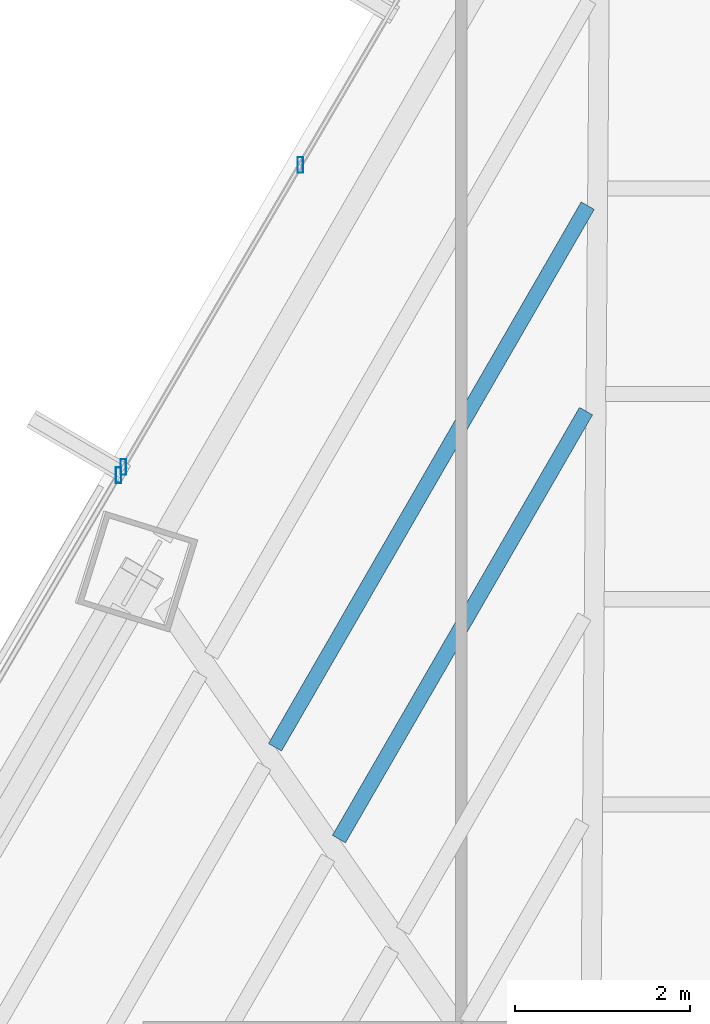
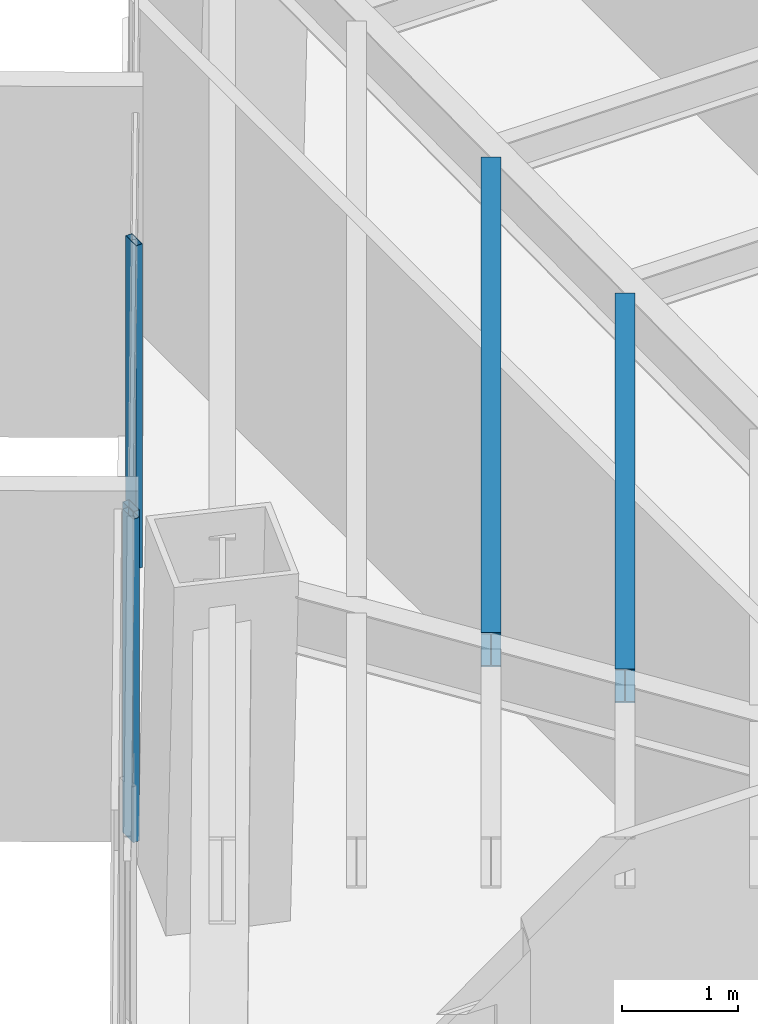
# One storey, part 24 of 37: 3 members, 2 beams, 2 elements without a shape of their own.
"""IFC4 building model written with IfcOpenShell, lengths in metres."""

from ifc_helpers import new_model, si_unit, direction, frame, origin, origin_2d, place, context, subcontext, project, spatial, hollow_rectangle, i_section, extrude, source, transform, mapped, material, material_profile, profile_set, type_object, type_shapes, element, aggregate, save


model = new_model("IFC4")

# Units and contexts
model_context = context("Model", 3, precision=1e-05, world=origin(), true_north=direction((0.0, 1.0)))
body_context = subcontext(model_context, "Body", "Model", "MODEL_VIEW")
ifc_project = project(units=[si_unit("LENGTHUNIT", "METRE"), si_unit("AREAUNIT", "SQUARE_METRE"), si_unit("VOLUMEUNIT", "CUBIC_METRE"), si_unit("PLANEANGLEUNIT", "RADIAN"), si_unit("MASSUNIT", "GRAM", prefix="KILO")], contexts=[model_context])

# Site, building, storey
site_placement = place(None, origin())
site = spatial("IfcSite", under=ifc_project, at=site_placement, CompositionType="ELEMENT")
building_placement = place(site_placement, origin())
building = spatial("IfcBuilding", under=site, at=building_placement, Name="Caelisora Broadcast Tower", CompositionType="ELEMENT")
storey_placement = place(building_placement, frame((0.0, 0.0, 105.39990234375)))
storey = spatial("IfcBuildingStorey", under=building, at=storey_placement, Name="L27", CompositionType="ELEMENT", Elevation=105.39990234375)

# Beams
ifc_material_1 = material(Name="Steel Grade 350 (AS/NZS 3679.1)", Category="steel")
ifc_material_profile_1 = material_profile(ifc_material_1, i_section(OverallWidth=0.172119140625, OverallDepth=0.358642578125, WebThickness=0.008056640625, FlangeThickness=0.012939453125, at=origin_2d()), Name="Steel Grade 350 (AS/NZS 3679.1)")
ifc_profile_set_1 = profile_set([ifc_material_profile_1], Name="Steel Grade 350 (AS/NZS 3679.1)")
beam_type = type_object("IfcBeamType", Name="SB02", PredefinedType="JOIST", material=ifc_profile_set_1)
shared_shape_1 = source(origin(), body_context, "Body", "SweptSolid", [
    extrude(i_section(OverallWidth=0.172119140625, OverallDepth=0.358642578125, WebThickness=0.008056640625, FlangeThickness=0.012939453125, at=origin_2d()), origin(), (0.0, 0.0, 1.0), 5.640869140625),
])
beam_1_placement = place(storey_placement, frame((30.46240234375, 39.1826171875, 3.220703125), z_axis=(-0.499974716921, -0.866040000485, 0.0), x_axis=(0.866040000485, -0.499974716921, 0.0)))
element("IfcBeam", 1, at=beam_1_placement, inside=storey, type_object=beam_type, Name="L27 beam SB02", PredefinedType="JOIST", context=body_context, shape_type="MappedRepresentation", body=[
    mapped(shared_shape_1, transform((0.0, 0.0, 0.0), scale=1.0)),
])
shared_shape_2 = source(origin(), body_context, "Body", "SweptSolid", [
    extrude(i_section(OverallWidth=0.172119140625, OverallDepth=0.358642578125, WebThickness=0.008056640625, FlangeThickness=0.012939453125, at=origin_2d()), origin(), (0.0, 0.0, 1.0), 7.13916015625),
])
type_shapes(beam_type, [shared_shape_1, shared_shape_2])
beam_2_placement = place(storey_placement, frame((30.481689453125, 41.527587890625, 3.220703125), z_axis=(-0.500004662415, -0.866022711921, 0.0), x_axis=(0.866022711921, -0.500004662415, 0.0)))
element("IfcBeam", 2, at=beam_2_placement, inside=storey, type_object=beam_type, Name="L27 beam SB02", PredefinedType="JOIST", context=body_context, shape_type="MappedRepresentation", body=[
    mapped(shared_shape_2, transform((0.0, 0.0, 0.0), scale=1.0)),
])

# Curtain wall, member
ifc_material_2 = material(Name="Unitised Aluminium Insulated Shadow-Box Spandrel Curtain Wall", Category="aluminium")
curtain_wall_type_1 = type_object("IfcCurtainWallType", Name="CW-SP1", PredefinedType="NOTDEFINED", material=ifc_material_2)
curtain_wall_1_placement = place(storey_placement, origin())
curtain_wall_1 = element("IfcCurtainWall", 3, at=curtain_wall_1_placement, inside=storey, type_object=curtain_wall_type_1, Name="L27 curtain wall CW-SP1", PredefinedType="NOTDEFINED")
ifc_material_3 = material(Name="Aluminium 6063-T6 Anodised Terracotta Bronze", Category="aluminium")
ifc_material_profile_2 = material_profile(ifc_material_3, hollow_rectangle(XDim=0.06494140625, YDim=0.179931640625, WallThickness=0.00341796875, at=origin_2d()), Name="Aluminium 6063-T6 Anodised Terracotta Bronze")
ifc_profile_set_2 = profile_set([ifc_material_profile_2], Name="Aluminium 6063-T6 Anodised Terracotta Bronze")
member_type = type_object("IfcMemberType", Name="CWM-02", PredefinedType="MULLION", material=ifc_profile_set_2)
shared_shape_3 = source(origin(), body_context, "Body", "SweptSolid", [
    extrude(hollow_rectangle(XDim=0.06494140625, YDim=0.179931640625, WallThickness=0.00341796875, at=origin_2d()), origin(), (0.0, 0.0, 1.0), 3.400146484375),
])
type_shapes(member_type, [shared_shape_3])
member_1_placement = place(storey_placement, frame((25.12646484375, 38.448974609375, 0.0), z_axis=(0.0, 0.0, 1.0), x_axis=(1.0, 0.0, 0.0)))
member_1 = element("IfcMember", 4, at=member_1_placement, type_object=member_type, Name="L27-CW-B10 mullion #3", PredefinedType="MULLION", context=body_context, shape_type="MappedRepresentation", body=[
    mapped(shared_shape_3, transform((0.0, 0.0, 0.0), scale=1.0)),
])
aggregate(curtain_wall_1, [member_1])

# Curtain wall, members
ifc_material_4 = material(Name="Unitised Aluminium and Low-E Glass Curtain Wall", Category="glass")
curtain_wall_type_2 = type_object("IfcCurtainWallType", Name="CW-Z2", PredefinedType="NOTDEFINED", material=ifc_material_4)
curtain_wall_2_placement = place(storey_placement, origin())
curtain_wall_2 = element("IfcCurtainWall", 5, at=curtain_wall_2_placement, inside=storey, type_object=curtain_wall_type_2, Name="L27 curtain wall CW-Z2", PredefinedType="NOTDEFINED")
member_2_placement = place(storey_placement, frame((25.181884765625, 38.543701171875, 0.0), z_axis=(0.0, 0.0, 1.0), x_axis=(1.0, 0.0, 0.0)))
member_2 = element("IfcMember", 6, at=member_2_placement, type_object=member_type, Name="L27-CW-B11 mullion #0", PredefinedType="MULLION", context=body_context, shape_type="MappedRepresentation", body=[
    mapped(shared_shape_3, transform((0.0, 0.0, 0.0), scale=1.0)),
])
member_3_placement = place(storey_placement, frame((27.201904296875, 41.991455078125, 0.0), z_axis=(0.0, 0.0, 1.0), x_axis=(1.0, 0.0, 0.0)))
member_3 = element("IfcMember", 7, at=member_3_placement, type_object=member_type, Name="L27-CW-B11 mullion #1", PredefinedType="MULLION", context=body_context, shape_type="MappedRepresentation", body=[
    mapped(shared_shape_3, transform((0.0, 0.0, 0.0), scale=1.0)),
])
aggregate(curtain_wall_2, [member_2, member_3])

save(model, "model.ifc")
